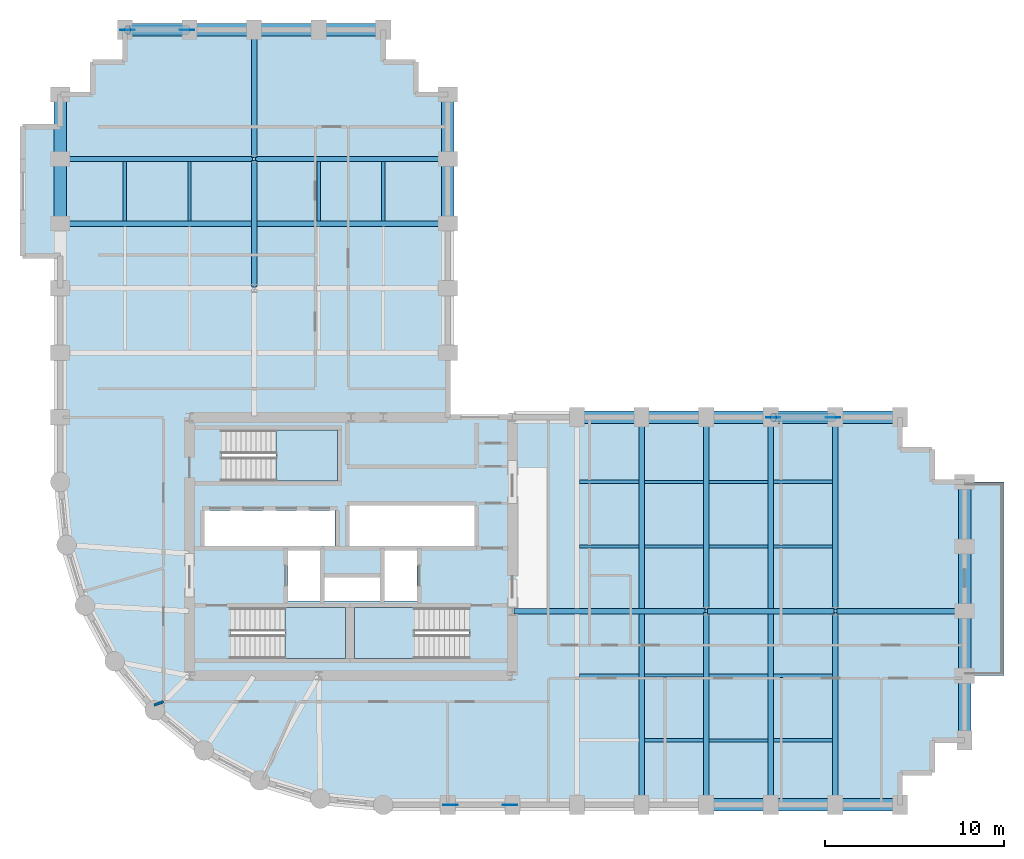
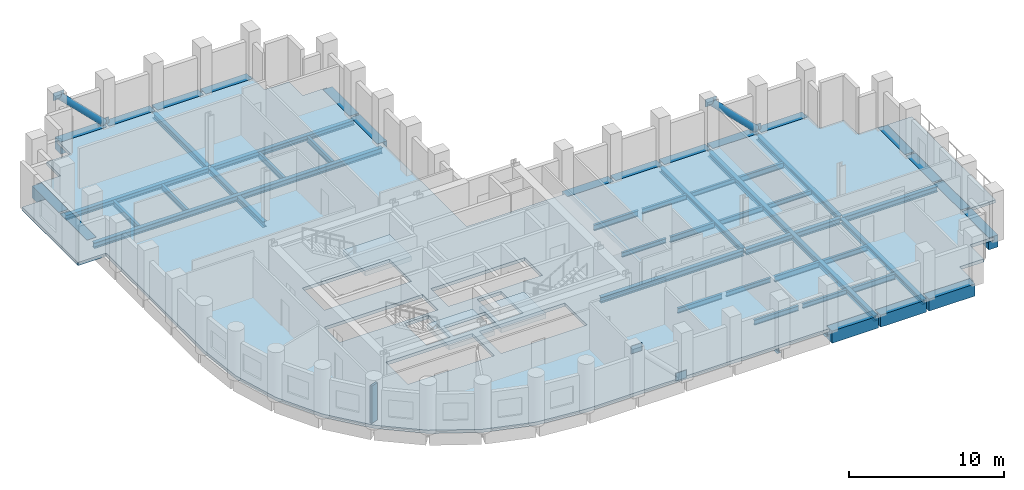
# One storey, part 2 of 8: 53 beams, 6 plates, 5 slabs, 2 members, 1 wall, 3 elements without a shape of their own.
"""IFC4 building model written with IfcOpenShell, lengths in metres."""

from ifc_helpers import new_model, si_unit, direction, frame, frame_2d, origin, origin_2d, place, context, subcontext, project, spatial, polyline, rectangle, hollow_circle, i_section, outline, extrude, material, layer, layer_set, material_profile, profile_set, type_object, element, aggregate, save


model = new_model("IFC4")

# Units and contexts
model_context = context("Model", 3, precision=1e-05, world=origin(), true_north=direction((0.0, 1.0)))
body_context = subcontext(model_context, "Body", "Model", "MODEL_VIEW")
ifc_project = project(units=[si_unit("LENGTHUNIT", "METRE"), si_unit("AREAUNIT", "SQUARE_METRE"), si_unit("VOLUMEUNIT", "CUBIC_METRE"), si_unit("PLANEANGLEUNIT", "RADIAN"), si_unit("MASSUNIT", "GRAM", prefix="KILO")], contexts=[model_context])

# Site, building, storey
site_placement = place(None, origin())
site = spatial("IfcSite", under=ifc_project, at=site_placement, CompositionType="ELEMENT")
building_placement = place(site_placement, origin())
building = spatial("IfcBuilding", under=site, at=building_placement, Name="Solnavia Interchange Tower", CompositionType="ELEMENT")
storey_placement = place(building_placement, frame((0.0, 0.0, 84.0)))
storey = spatial("IfcBuildingStorey", under=building, at=storey_placement, Name="L20", CompositionType="ELEMENT", Elevation=84.0)

# Beams
ifc_material_1 = material(Name="Steel S460", Category="steel")
ifc_material_profile_1 = material_profile(ifc_material_1, i_section(OverallWidth=0.300048828125, OverallDepth=0.449951171875, WebThickness=0.013916015625, FlangeThickness=0.02587890625, FilletRadius=0.027099609375, at=origin_2d()), Name="HEB 450")
ifc_profile_set_1 = profile_set([ifc_material_profile_1], Name="Steel S460")
beam_type_1 = type_object("IfcBeamType", Name="Beam-Girder-HEB450", PredefinedType="BEAM", material=ifc_profile_set_1)
beam_1_placement = place(storey_placement, frame((32.47998046875, 14.39990234375, -0.47509765625), z_axis=(1.0, 0.0, 0.0), x_axis=(0.0, 1.0, 0.0)))
element("IfcBeam", 1, at=beam_1_placement, inside=storey, type_object=beam_type_1, Name="GRD-L20-ES01 East wing spine girder", PredefinedType="BEAM", context=body_context, shape_type="SweptSolid", body=[
    extrude(i_section(OverallWidth=0.300048828125, OverallDepth=0.449951171875, WebThickness=0.013916015625, FlangeThickness=0.02587890625, FilletRadius=0.027099609375, at=origin_2d()), origin(), (0.0, 0.0, 1.0), 10.64013671875),
])
for number, where, z_axis, x_axis, name in (
    (2, (43.280029296875, 14.39990234375, -0.47509765625), (1.0, 0.0, 0.0), (0.0, 1.0, 0.0), "GRD-L20-ES02 East wing spine girder"),
    (3, (50.47998046875, 14.39990234375, -0.47509765625), (1.0, 0.0, 0.0), (0.0, 1.0, 0.0), "GRD-L20-ES03 East wing spine girder"),
    (4, (18.0, 32.47998046875, -0.47509765625), (0.0, 1.0, 0.0), (-1.0, 0.0, 0.0), "GRD-L20-NS12 North wing spine girder"),
    (5, (18.0, 39.679931640625, -0.47509765625), (0.0, 1.0, 0.0), (-1.0, 0.0, 0.0), "GRD-L20-NS13 North wing spine girder"),
):
    element("IfcBeam", number, at=place(storey_placement, frame(where, z_axis=z_axis, x_axis=x_axis)), inside=storey, type_object=beam_type_1, Name=name, PredefinedType="BEAM", context=body_context, shape_type="SweptSolid", body=[
        extrude(i_section(OverallWidth=0.300048828125, OverallDepth=0.449951171875, WebThickness=0.013916015625, FlangeThickness=0.02587890625, FilletRadius=0.027099609375, at=origin_2d()), origin(), (0.0, 0.0, 1.0), 7.0400390625),
    ])
ifc_material_2 = material(Name="Steel S355", Category="steel")
ifc_material_profile_2 = material_profile(ifc_material_2, i_section(OverallWidth=0.169921875, OverallDepth=0.360107421875, WebThickness=0.008056640625, FlangeThickness=0.0126953125, FilletRadius=0.01806640625, at=origin_2d()), Name="IPE 360")
ifc_profile_set_2 = profile_set([ifc_material_profile_2], Name="Steel S355")
beam_type_2 = type_object("IfcBeamType", Name="Beam-Joist-IPE360", PredefinedType="JOIST", material=ifc_profile_set_2)
beam_2_placement = place(storey_placement, frame((43.35009765625, 7.199951171875, -0.429931640625), z_axis=(1.0, 0.0, 0.0), x_axis=(0.0, 1.0, 0.0)))
element("IfcBeam", 6, at=beam_2_placement, inside=storey, type_object=beam_type_2, Name="JST-L20-E03 East wing secondary joist", PredefinedType="JOIST", context=body_context, shape_type="SweptSolid", body=[
    extrude(i_section(OverallWidth=0.169921875, OverallDepth=0.360107421875, WebThickness=0.008056640625, FlangeThickness=0.0126953125, FilletRadius=0.01806640625, at=origin_2d()), origin(), (0.0, 0.0, 1.0), 3.2998046875),
])
for number, where, z_axis, x_axis, name in (
    (7, (39.75, 10.800048828125, -0.429931640625), (1.0, 0.0, 0.0), (0.0, 1.0, 0.0), "JST-L20-E06 East wing secondary joist"),
    (8, (36.14990234375, 18.0, -0.429931640625), (1.0, 0.0, 0.0), (0.0, 1.0, 0.0), "JST-L20-E09 East wing secondary joist"),
    (9, (46.949951171875, 18.0, -0.429931640625), (1.0, 0.0, 0.0), (0.0, 1.0, 0.0), "JST-L20-E12 East wing secondary joist"),
):
    element("IfcBeam", number, at=place(storey_placement, frame(where, z_axis=z_axis, x_axis=x_axis)), inside=storey, type_object=beam_type_2, Name=name, PredefinedType="JOIST", context=body_context, shape_type="SweptSolid", body=[
        extrude(i_section(OverallWidth=0.169921875, OverallDepth=0.360107421875, WebThickness=0.008056640625, FlangeThickness=0.0126953125, FilletRadius=0.01806640625, at=origin_2d()), origin(), (0.0, 0.0, 1.0), 3.300048828125),
    ])
beam_3_placement = place(storey_placement, frame((43.35009765625, 21.60009765625, -0.429931640625), z_axis=(1.0, 0.0, 0.0), x_axis=(0.0, 1.0, 0.0)))
element("IfcBeam", 10, at=beam_3_placement, inside=storey, type_object=beam_type_2, Name="JST-L20-E15 East wing secondary joist", PredefinedType="JOIST", context=body_context, shape_type="SweptSolid", body=[
    extrude(i_section(OverallWidth=0.169921875, OverallDepth=0.360107421875, WebThickness=0.008056640625, FlangeThickness=0.0126953125, FilletRadius=0.01806640625, at=origin_2d()), origin(), (0.0, 0.0, 1.0), 3.2998046875),
])
ifc_material_profile_3 = material_profile(ifc_material_2, i_section(OverallWidth=0.179931640625, OverallDepth=0.39990234375, WebThickness=0.008544921875, FlangeThickness=0.013427734375, FilletRadius=0.02099609375, at=origin_2d()), Name="IPE 400")
ifc_profile_set_3 = profile_set([ifc_material_profile_3], Name="Steel S355")
beam_type_3 = type_object("IfcBeamType", Name="Beam-Joist-IPE400", PredefinedType="JOIST", material=ifc_profile_set_3)
for number, where, z_axis, x_axis, name in (
    (11, (39.75, 7.199951171875, -0.449951171875), (1.0, 0.0, 0.0), (0.0, 1.0, 0.0), "JST-L20-E02 East wing secondary joist"),
    (12, (36.14990234375, 10.800048828125, -0.449951171875), (1.0, 0.0, 0.0), (0.0, 1.0, 0.0), "JST-L20-E05 East wing secondary joist"),
    (13, (46.949951171875, 10.800048828125, -0.449951171875), (1.0, 0.0, 0.0), (0.0, 1.0, 0.0), "JST-L20-E08 East wing secondary joist"),
):
    element("IfcBeam", number, at=place(storey_placement, frame(where, z_axis=z_axis, x_axis=x_axis)), inside=storey, type_object=beam_type_3, Name=name, PredefinedType="JOIST", context=body_context, shape_type="SweptSolid", body=[
        extrude(i_section(OverallWidth=0.179931640625, OverallDepth=0.39990234375, WebThickness=0.008544921875, FlangeThickness=0.013427734375, FilletRadius=0.02099609375, at=origin_2d()), origin(), (0.0, 0.0, 1.0), 3.300048828125),
    ])
beam_4_placement = place(storey_placement, frame((43.35009765625, 18.0, -0.449951171875), z_axis=(1.0, 0.0, 0.0), x_axis=(0.0, 1.0, 0.0)))
element("IfcBeam", 14, at=beam_4_placement, inside=storey, type_object=beam_type_3, Name="JST-L20-E11 East wing secondary joist", PredefinedType="JOIST", context=body_context, shape_type="SweptSolid", body=[
    extrude(i_section(OverallWidth=0.179931640625, OverallDepth=0.39990234375, WebThickness=0.008544921875, FlangeThickness=0.013427734375, FilletRadius=0.02099609375, at=origin_2d()), origin(), (0.0, 0.0, 1.0), 3.2998046875),
])
beam_5_placement = place(storey_placement, frame((39.75, 21.60009765625, -0.449951171875), z_axis=(1.0, 0.0, 0.0), x_axis=(0.0, 1.0, 0.0)))
element("IfcBeam", 15, at=beam_5_placement, inside=storey, type_object=beam_type_3, Name="JST-L20-E14 East wing secondary joist", PredefinedType="JOIST", context=body_context, shape_type="SweptSolid", body=[
    extrude(i_section(OverallWidth=0.179931640625, OverallDepth=0.39990234375, WebThickness=0.008544921875, FlangeThickness=0.013427734375, FilletRadius=0.02099609375, at=origin_2d()), origin(), (0.0, 0.0, 1.0), 3.300048828125),
])
ifc_material_profile_4 = material_profile(ifc_material_2, i_section(OverallWidth=0.18994140625, OverallDepth=0.449951171875, WebThickness=0.009521484375, FlangeThickness=0.0146484375, FilletRadius=0.02099609375, at=origin_2d()), Name="IPE 450")
ifc_profile_set_4 = profile_set([ifc_material_profile_4], Name="Steel S355")
beam_type_4 = type_object("IfcBeamType", Name="Beam-Joist-IPE450", PredefinedType="JOIST", material=ifc_profile_set_4)
beam_6_placement = place(storey_placement, frame((46.949951171875, 7.199951171875, -0.47509765625), z_axis=(1.0, 0.0, 0.0), x_axis=(0.0, 1.0, 0.0)))
element("IfcBeam", 16, at=beam_6_placement, inside=storey, type_object=beam_type_4, Name="JST-L20-E04 East wing secondary joist", PredefinedType="JOIST", context=body_context, shape_type="SweptSolid", body=[
    extrude(i_section(OverallWidth=0.18994140625, OverallDepth=0.449951171875, WebThickness=0.009521484375, FlangeThickness=0.0146484375, FilletRadius=0.02099609375, at=origin_2d()), origin(), (0.0, 0.0, 1.0), 3.300048828125),
])
beam_7_placement = place(storey_placement, frame((43.35009765625, 10.800048828125, -0.47509765625), z_axis=(1.0, 0.0, 0.0), x_axis=(0.0, 1.0, 0.0)))
element("IfcBeam", 17, at=beam_7_placement, inside=storey, type_object=beam_type_4, Name="JST-L20-E07 East wing secondary joist", PredefinedType="JOIST", context=body_context, shape_type="SweptSolid", body=[
    extrude(i_section(OverallWidth=0.18994140625, OverallDepth=0.449951171875, WebThickness=0.009521484375, FlangeThickness=0.0146484375, FilletRadius=0.02099609375, at=origin_2d()), origin(), (0.0, 0.0, 1.0), 3.2998046875),
])
for number, where, z_axis, x_axis, name in (
    (18, (39.75, 18.0, -0.47509765625), (1.0, 0.0, 0.0), (0.0, 1.0, 0.0), "JST-L20-E10 East wing secondary joist"),
    (19, (36.14990234375, 21.60009765625, -0.47509765625), (1.0, 0.0, 0.0), (0.0, 1.0, 0.0), "JST-L20-E13 East wing secondary joist"),
    (20, (46.949951171875, 21.60009765625, -0.47509765625), (1.0, 0.0, 0.0), (0.0, 1.0, 0.0), "JST-L20-E16 East wing secondary joist"),
    (21, (10.800048828125, 36.14990234375, -0.47509765625), (0.0, 1.0, 0.0), (-1.0, 0.0, 0.0), "JST-L20-N19 North wing secondary joist"),
    (22, (14.39990234375, 36.14990234375, -0.47509765625), (0.0, 1.0, 0.0), (-1.0, 0.0, 0.0), "JST-L20-N22 North wing secondary joist"),
    (23, (21.60009765625, 36.14990234375, -0.47509765625), (0.0, 1.0, 0.0), (-1.0, 0.0, 0.0), "JST-L20-N25 North wing secondary joist"),
    (24, (25.199951171875, 36.14990234375, -0.47509765625), (0.0, 1.0, 0.0), (-1.0, 0.0, 0.0), "JST-L20-N28 North wing secondary joist"),
):
    element("IfcBeam", number, at=place(storey_placement, frame(where, z_axis=z_axis, x_axis=x_axis)), inside=storey, type_object=beam_type_4, Name=name, PredefinedType="JOIST", context=body_context, shape_type="SweptSolid", body=[
        extrude(i_section(OverallWidth=0.18994140625, OverallDepth=0.449951171875, WebThickness=0.009521484375, FlangeThickness=0.0146484375, FilletRadius=0.02099609375, at=origin_2d()), origin(), (0.0, 0.0, 1.0), 3.300048828125),
    ])
ifc_material_profile_5 = material_profile(ifc_material_2, i_section(OverallWidth=0.300048828125, OverallDepth=0.389892578125, WebThickness=0.010986328125, FlangeThickness=0.01904296875, FilletRadius=0.027099609375, at=origin_2d()), Name="HEA 400")
ifc_profile_set_5 = profile_set([ifc_material_profile_5], Name="Steel S355")
beam_type_5 = type_object("IfcBeamType", Name="Beam-Primary-HEA400", PredefinedType="BEAM", material=ifc_profile_set_5)
for number, where, z_axis, x_axis, name in (
    (25, (43.199951171875, 3.679931640625, -0.445068359375), (0.0, 1.0, 0.0), (-1.0, 0.0, 0.0), "GRD-L20-EW06 East wing primary floor girder"),
    (26, (43.199951171875, 14.47998046875, -0.445068359375), (0.0, 1.0, 0.0), (-1.0, 0.0, 0.0), "GRD-L20-EW07 East wing primary floor girder"),
    (27, (50.39990234375, 3.679931640625, -0.445068359375), (0.0, 1.0, 0.0), (-1.0, 0.0, 0.0), "GRD-L20-EW09 East wing primary floor girder"),
    (28, (50.39990234375, 14.47998046875, -0.445068359375), (0.0, 1.0, 0.0), (-1.0, 0.0, 0.0), "GRD-L20-EW10 East wing primary floor girder"),
):
    element("IfcBeam", number, at=place(storey_placement, frame(where, z_axis=z_axis, x_axis=x_axis)), inside=storey, type_object=beam_type_5, Name=name, PredefinedType="BEAM", context=body_context, shape_type="SweptSolid", body=[
        extrude(i_section(OverallWidth=0.300048828125, OverallDepth=0.389892578125, WebThickness=0.010986328125, FlangeThickness=0.01904296875, FilletRadius=0.027099609375, at=origin_2d()), origin(), (0.0, 0.0, 1.0), 10.64013671875),
    ])
for number, where, z_axis, x_axis, name in (
    (29, (7.280029296875, 39.60009765625, -0.445068359375), (1.0, 0.0, 0.0), (0.0, 1.0, 0.0), "GRD-L20-NW18 North wing primary floor girder"),
    (30, (18.080078125, 39.60009765625, -0.445068359375), (1.0, 0.0, 0.0), (0.0, 1.0, 0.0), "GRD-L20-NW19 North wing primary floor girder"),
):
    element("IfcBeam", number, at=place(storey_placement, frame(where, z_axis=z_axis, x_axis=x_axis)), inside=storey, type_object=beam_type_5, Name=name, PredefinedType="BEAM", context=body_context, shape_type="SweptSolid", body=[
        extrude(i_section(OverallWidth=0.300048828125, OverallDepth=0.389892578125, WebThickness=0.010986328125, FlangeThickness=0.01904296875, FilletRadius=0.027099609375, at=origin_2d()), origin(), (0.0, 0.0, 1.0), 10.639892578125),
    ])
ifc_material_profile_6 = material_profile(ifc_material_2, i_section(OverallWidth=0.300048828125, OverallDepth=0.43994140625, WebThickness=0.011474609375, FlangeThickness=0.02099609375, FilletRadius=0.027099609375, at=origin_2d()), Name="HEA 450")
ifc_profile_set_6 = profile_set([ifc_material_profile_6], Name="Steel S355")
beam_type_6 = type_object("IfcBeamType", Name="Beam-Primary-HEA450", PredefinedType="BEAM", material=ifc_profile_set_6)
for number, where, z_axis, x_axis, name in (
    (31, (39.60009765625, 3.679931640625, -0.469970703125), (0.0, 1.0, 0.0), (-1.0, 0.0, 0.0), "GRD-L20-EW05 East wing primary floor girder"),
    (32, (46.800048828125, 3.679931640625, -0.469970703125), (0.0, 1.0, 0.0), (-1.0, 0.0, 0.0), "GRD-L20-EW08 East wing primary floor girder"),
):
    element("IfcBeam", number, at=place(storey_placement, frame(where, z_axis=z_axis, x_axis=x_axis)), inside=storey, type_object=beam_type_6, Name=name, PredefinedType="BEAM", context=body_context, shape_type="SweptSolid", body=[
        extrude(i_section(OverallWidth=0.300048828125, OverallDepth=0.43994140625, WebThickness=0.011474609375, FlangeThickness=0.02099609375, FilletRadius=0.027099609375, at=origin_2d()), origin(), (0.0, 0.0, 1.0), 21.440185546875),
    ])
beam_8_placement = place(storey_placement, frame((7.280029296875, 36.0, -0.469970703125), z_axis=(1.0, 0.0, 0.0), x_axis=(0.0, 1.0, 0.0)))
element("IfcBeam", 33, at=beam_8_placement, inside=storey, type_object=beam_type_6, Name="GRD-L20-NW17 North wing primary floor girder", PredefinedType="BEAM", context=body_context, shape_type="SweptSolid", body=[
    extrude(i_section(OverallWidth=0.300048828125, OverallDepth=0.43994140625, WebThickness=0.011474609375, FlangeThickness=0.02099609375, FilletRadius=0.027099609375, at=origin_2d()), origin(), (0.0, 0.0, 1.0), 21.43994140625),
])
ifc_material_3 = material(Name="Concrete C50/60", Category="concrete")
ifc_material_profile_7 = material_profile(ifc_material_3, rectangle(XDim=0.699951171875, YDim=0.949951171875, at=origin_2d()), Name="RC 700x950")
ifc_profile_set_7 = profile_set([ifc_material_profile_7], Name="Concrete C50/60")
beam_type_7 = type_object("IfcBeamType", Name="Beam-Spandrel-RC700x950", PredefinedType="SPANDREL", material=ifc_profile_set_7)
beam_9_placement = place(storey_placement, frame((43.280029296875, 3.60009765625, -0.47509765625), z_axis=(1.0, 0.0, 0.0), x_axis=(0.0, 1.0, 0.0)))
element("IfcBeam", 34, at=beam_9_placement, inside=storey, type_object=beam_type_7, Name="SPB-L20-14 Framed-tube perimeter spandrel beam", PredefinedType="SPANDREL", context=body_context, shape_type="SweptSolid", body=[
    extrude(rectangle(XDim=0.699951171875, YDim=0.949951171875, at=origin_2d()), origin(), (0.0, 0.0, 1.0), 3.43994140625),
])
beam_10_placement = place(storey_placement, frame((46.8798828125, 3.60009765625, -0.47509765625), z_axis=(1.0, 0.0, 0.0), x_axis=(0.0, 1.0, 0.0)))
element("IfcBeam", 35, at=beam_10_placement, inside=storey, type_object=beam_type_7, Name="SPB-L20-15 Framed-tube perimeter spandrel beam", PredefinedType="SPANDREL", context=body_context, shape_type="SweptSolid", body=[
    extrude(rectangle(XDim=0.699951171875, YDim=0.949951171875, at=origin_2d()), origin(), (0.0, 0.0, 1.0), 3.440185546875),
])
for number, where, z_axis, x_axis, name in (
    (36, (50.47998046875, 3.60009765625, -0.47509765625), (1.0, 0.0, 0.0), (0.0, 1.0, 0.0), "SPB-L20-16 Framed-tube perimeter spandrel beam"),
    (37, (57.60009765625, 7.280029296875, -0.47509765625), (0.0, 1.0, 0.0), (-1.0, 0.0, 0.0), "SPB-L20-17 Framed-tube perimeter spandrel beam"),
):
    element("IfcBeam", number, at=place(storey_placement, frame(where, z_axis=z_axis, x_axis=x_axis)), inside=storey, type_object=beam_type_7, Name=name, PredefinedType="SPANDREL", context=body_context, shape_type="SweptSolid", body=[
        extrude(rectangle(XDim=0.699951171875, YDim=0.949951171875, at=origin_2d()), origin(), (0.0, 0.0, 1.0), 3.43994140625),
    ])
beam_11_placement = place(storey_placement, frame((57.60009765625, 10.8798828125, -0.47509765625), z_axis=(0.0, 1.0, 0.0), x_axis=(-1.0, 0.0, 0.0)))
element("IfcBeam", 38, at=beam_11_placement, inside=storey, type_object=beam_type_7, Name="SPB-L20-18 Framed-tube perimeter spandrel beam", PredefinedType="SPANDREL", context=body_context, shape_type="SweptSolid", body=[
    extrude(rectangle(XDim=0.699951171875, YDim=0.949951171875, at=origin_2d()), origin(), (0.0, 0.0, 1.0), 3.440185546875),
])
for number, where, z_axis, x_axis, name in (
    (39, (57.60009765625, 14.47998046875, -0.47509765625), (0.0, 1.0, 0.0), (-1.0, 0.0, 0.0), "SPB-L20-19 Framed-tube perimeter spandrel beam"),
    (40, (57.60009765625, 18.080078125, -0.47509765625), (0.0, 1.0, 0.0), (-1.0, 0.0, 0.0), "SPB-L20-20 Framed-tube perimeter spandrel beam"),
    (41, (53.919921875, 25.199951171875, -0.47509765625), (-1.0, 0.0, 0.0), (0.0, -1.0, 0.0), "SPB-L20-21 Framed-tube perimeter spandrel beam"),
):
    element("IfcBeam", number, at=place(storey_placement, frame(where, z_axis=z_axis, x_axis=x_axis)), inside=storey, type_object=beam_type_7, Name=name, PredefinedType="SPANDREL", context=body_context, shape_type="SweptSolid", body=[
        extrude(rectangle(XDim=0.699951171875, YDim=0.949951171875, at=origin_2d()), origin(), (0.0, 0.0, 1.0), 3.43994140625),
    ])
beam_12_placement = place(storey_placement, frame((50.320068359375, 25.199951171875, -0.47509765625), z_axis=(-1.0, 0.0, 0.0), x_axis=(0.0, -1.0, 0.0)))
element("IfcBeam", 42, at=beam_12_placement, inside=storey, type_object=beam_type_7, Name="SPB-L20-22 Framed-tube perimeter spandrel beam", PredefinedType="SPANDREL", context=body_context, shape_type="SweptSolid", body=[
    extrude(rectangle(XDim=0.699951171875, YDim=0.949951171875, at=origin_2d()), origin(), (0.0, 0.0, 1.0), 3.440185546875),
])
beam_13_placement = place(storey_placement, frame((46.719970703125, 25.199951171875, -0.47509765625), z_axis=(-1.0, 0.0, 0.0), x_axis=(0.0, -1.0, 0.0)))
element("IfcBeam", 43, at=beam_13_placement, inside=storey, type_object=beam_type_7, Name="SPB-L20-23 Framed-tube perimeter spandrel beam", PredefinedType="SPANDREL", context=body_context, shape_type="SweptSolid", body=[
    extrude(rectangle(XDim=0.699951171875, YDim=0.949951171875, at=origin_2d()), origin(), (0.0, 0.0, 1.0), 3.43994140625),
])
beam_14_placement = place(storey_placement, frame((43.1201171875, 25.199951171875, -0.47509765625), z_axis=(-1.0, 0.0, 0.0), x_axis=(0.0, -1.0, 0.0)))
element("IfcBeam", 44, at=beam_14_placement, inside=storey, type_object=beam_type_7, Name="SPB-L20-24 Framed-tube perimeter spandrel beam", PredefinedType="SPANDREL", context=body_context, shape_type="SweptSolid", body=[
    extrude(rectangle(XDim=0.699951171875, YDim=0.949951171875, at=origin_2d()), origin(), (0.0, 0.0, 1.0), 3.440185546875),
])
for number, where, z_axis, x_axis, name in (
    (45, (39.52001953125, 25.199951171875, -0.47509765625), (-1.0, 0.0, 0.0), (0.0, -1.0, 0.0), "SPB-L20-25 Framed-tube perimeter spandrel beam"),
    (46, (28.800048828125, 36.080078125, -0.47509765625), (0.0, 1.0, 0.0), (-1.0, 0.0, 0.0), "SPB-L20-29 Framed-tube perimeter spandrel beam"),
):
    element("IfcBeam", number, at=place(storey_placement, frame(where, z_axis=z_axis, x_axis=x_axis)), inside=storey, type_object=beam_type_7, Name=name, PredefinedType="SPANDREL", context=body_context, shape_type="SweptSolid", body=[
        extrude(rectangle(XDim=0.699951171875, YDim=0.949951171875, at=origin_2d()), origin(), (0.0, 0.0, 1.0), 3.43994140625),
    ])
for number, where, z_axis, x_axis, name in (
    (47, (28.800048828125, 39.679931640625, -0.47509765625), (0.0, 1.0, 0.0), (-1.0, 0.0, 0.0), "SPB-L20-30 Framed-tube perimeter spandrel beam"),
    (48, (25.1201171875, 46.800048828125, -0.47509765625), (-1.0, 0.0, 0.0), (0.0, -1.0, 0.0), "SPB-L20-31 Framed-tube perimeter spandrel beam"),
):
    element("IfcBeam", number, at=place(storey_placement, frame(where, z_axis=z_axis, x_axis=x_axis)), inside=storey, type_object=beam_type_7, Name=name, PredefinedType="SPANDREL", context=body_context, shape_type="SweptSolid", body=[
        extrude(rectangle(XDim=0.699951171875, YDim=0.949951171875, at=origin_2d()), origin(), (0.0, 0.0, 1.0), 3.440185546875),
    ])
for number, where, z_axis, x_axis, name in (
    (49, (21.52001953125, 46.800048828125, -0.47509765625), (-1.0, 0.0, 0.0), (0.0, -1.0, 0.0), "SPB-L20-32 Framed-tube perimeter spandrel beam"),
    (50, (17.919921875, 46.800048828125, -0.47509765625), (-1.0, 0.0, 0.0), (0.0, -1.0, 0.0), "SPB-L20-33 Framed-tube perimeter spandrel beam"),
):
    element("IfcBeam", number, at=place(storey_placement, frame(where, z_axis=z_axis, x_axis=x_axis)), inside=storey, type_object=beam_type_7, Name=name, PredefinedType="SPANDREL", context=body_context, shape_type="SweptSolid", body=[
        extrude(rectangle(XDim=0.699951171875, YDim=0.949951171875, at=origin_2d()), origin(), (0.0, 0.0, 1.0), 3.43994140625),
    ])
for number, where, z_axis, x_axis, name in (
    (51, (14.320068359375, 46.800048828125, -0.47509765625), (-1.0, 0.0, 0.0), (0.0, -1.0, 0.0), "SPB-L20-34 Framed-tube perimeter spandrel beam"),
    (52, (7.199951171875, 43.1201171875, -0.47509765625), (0.0, -1.0, 0.0), (1.0, 0.0, 0.0), "SPB-L20-35 Framed-tube perimeter spandrel beam"),
):
    element("IfcBeam", number, at=place(storey_placement, frame(where, z_axis=z_axis, x_axis=x_axis)), inside=storey, type_object=beam_type_7, Name=name, PredefinedType="SPANDREL", context=body_context, shape_type="SweptSolid", body=[
        extrude(rectangle(XDim=0.699951171875, YDim=0.949951171875, at=origin_2d()), origin(), (0.0, 0.0, 1.0), 3.440185546875),
    ])
beam_15_placement = place(storey_placement, frame((7.199951171875, 39.52001953125, -0.47509765625), z_axis=(0.0, -1.0, 0.0), x_axis=(1.0, 0.0, 0.0)))
element("IfcBeam", 53, at=beam_15_placement, inside=storey, type_object=beam_type_7, Name="SPB-L20-36 Framed-tube perimeter spandrel beam", PredefinedType="SPANDREL", context=body_context, shape_type="SweptSolid", body=[
    extrude(rectangle(XDim=0.699951171875, YDim=0.949951171875, at=origin_2d()), origin(), (0.0, 0.0, 1.0), 3.43994140625),
])

# Members
ifc_material_profile_8 = material_profile(ifc_material_1, hollow_circle(Radius=0.25390625, WallThickness=0.02490234375, at=origin_2d()), Name="CHS 508x25")
ifc_profile_set_8 = profile_set([ifc_material_profile_8], Name="Steel S460")
member_type = type_object("IfcMemberType", Name="Brace-Perim-CHS508", PredefinedType="BRACE", material=ifc_profile_set_8)
for number, where, z_axis, x_axis, name in (
    (54, (14.260009765625, 46.800048828125, 0.179931640625), (-0.710311792477, 0.0, 0.703887176661), (0.0, -1.0, 0.0), "BRC-L20-02 Perimeter tube diagonal brace"),
    (55, (50.260009765625, 25.199951171875, 0.179931640625), (-0.710311792477, 0.0, 0.703887176661), (0.0, -1.0, 0.0), "BRC-L20-03 Perimeter tube diagonal brace"),
):
    element("IfcMember", number, at=place(storey_placement, frame(where, z_axis=z_axis, x_axis=x_axis)), inside=storey, type_object=member_type, Name=name, PredefinedType="BRACE", context=body_context, shape_type="SweptSolid", body=[
        extrude(hollow_circle(Radius=0.25390625, WallThickness=0.02490234375, at=origin_2d()), origin(), (0.0, 0.0, 1.0), 4.674072265625),
    ])

# Plates
ifc_layer_1 = layer(ifc_material_1, 0.035888671875)
ifc_layer_set_1 = layer_set([ifc_layer_1], Name="Steel S460")
plate_type = type_object("IfcPlateType", Name="Plate-Gusset-800x600x36", PredefinedType="USERDEFINED", material=ifc_layer_set_1)
for number, where, z_axis, x_axis, name in (
    (56, (32.260009765625, 3.60009765625, -0.1201171875), (0.0, 0.0, 1.0), (-1.0, 0.0, 0.0), "PLT-L20-GP01 Perimeter brace gusset plate"),
    (57, (28.93994140625, 3.60009765625, 3.169921875), (0.0, 0.0, 1.0), (-1.0, 0.0, 0.0), "PLT-L20-GP02 Perimeter brace gusset plate"),
    (58, (14.260009765625, 46.800048828125, -0.1201171875), (0.0, 0.0, 1.0), (-1.0, 0.0, 0.0), "PLT-L20-GP03 Perimeter brace gusset plate"),
    (59, (10.93994140625, 46.800048828125, 3.169921875), (0.0, 0.0, 1.0), (-1.0, 0.0, 0.0), "PLT-L20-GP04 Perimeter brace gusset plate"),
    (60, (50.260009765625, 25.199951171875, -0.1201171875), (0.0, 0.0, 1.0), (-1.0, 0.0, 0.0), "PLT-L20-GP05 Perimeter brace gusset plate"),
    (61, (46.93994140625, 25.199951171875, 3.169921875), (0.0, 0.0, 1.0), (-1.0, 0.0, 0.0), "PLT-L20-GP06 Perimeter brace gusset plate"),
):
    element("IfcPlate", number, at=place(storey_placement, frame(where, z_axis=z_axis, x_axis=x_axis)), inside=storey, type_object=plate_type, Name=name, ObjectType="GUSSET PLATE", PredefinedType="USERDEFINED", context=body_context, shape_type="SweptSolid", body=[
        extrude(rectangle(XDim=0.800048828125, YDim=0.035888671875, at=origin_2d()), origin(), (0.0, 0.0, 1.0), 0.60009765625),
    ])

# Stair, slab
ifc_material_4 = material(Name="Concrete C40/50", Category="concrete")
stair_type = type_object("IfcStairType", Name="Stair-Dogleg-RC", PredefinedType="HALF_TURN_STAIR", material=ifc_material_4)
stair_1_placement = place(storey_placement, origin())
stair_1 = element("IfcStair", 62, at=stair_1_placement, inside=storey, type_object=stair_type, Name="L20 Core exit stair 1", PredefinedType="HALF_TURN_STAIR")
ifc_layer_2 = layer(ifc_material_4, 0.35009765625)
ifc_layer_set_2 = layer_set([ifc_layer_2], Name="Concrete C40/50")
slab_type_1 = type_object("IfcSlabType", Name="Slab-StairLanding-350", PredefinedType="LANDING", material=ifc_layer_set_2)
slab_1_placement = place(storey_placement, frame((0.0, 0.0, 1.60009765625)))
slab_1 = element("IfcSlab", 63, at=slab_1_placement, type_object=slab_type_1, Name="ST-1 landing 1", PredefinedType="LANDING", context=body_context, shape_type="SweptSolid", body=[
    extrude(outline(polyline([(19.7080078125, 11.75), (23.10009765625, 11.75), (23.10009765625, 14.590087890625), (19.7080078125, 14.590087890625), (19.7080078125, 11.75)])), origin(), (0.0, 0.0, 1.0), 0.349853515625),
])
aggregate(stair_1, [slab_1])

stair_2_placement = place(storey_placement, origin())
stair_2 = element("IfcStair", 64, at=stair_2_placement, inside=storey, type_object=stair_type, Name="L20 Core exit stair 2", PredefinedType="HALF_TURN_STAIR")
slab_2_placement = place(storey_placement, frame((0.0, 0.0, 1.60009765625)))
slab_2 = element("IfcSlab", 65, at=slab_2_placement, type_object=slab_type_1, Name="ST-2 landing 1", PredefinedType="LANDING", context=body_context, shape_type="SweptSolid", body=[
    extrude(outline(polyline([(23.60009765625, 11.75), (26.94189453125, 11.75), (26.94189453125, 14.590087890625), (23.60009765625, 14.590087890625), (23.60009765625, 11.75)])), origin(), (0.0, 0.0, 1.0), 0.349853515625),
])
aggregate(stair_2, [slab_2])

stair_3_placement = place(storey_placement, origin())
stair_3 = element("IfcStair", 66, at=stair_3_placement, inside=storey, type_object=stair_type, Name="L20 Core exit stair 3", PredefinedType="HALF_TURN_STAIR")
slab_3_placement = place(storey_placement, frame((0.0, 0.0, 1.60009765625)))
slab_3 = element("IfcSlab", 67, at=slab_3_placement, type_object=slab_type_1, Name="ST-3 landing 1", PredefinedType="LANDING", context=body_context, shape_type="SweptSolid", body=[
    extrude(outline(polyline([(19.2080078125, 21.64990234375), (22.64990234375, 21.64990234375), (22.64990234375, 24.489990234375), (19.2080078125, 24.489990234375), (19.2080078125, 21.64990234375)])), origin(), (0.0, 0.0, 1.0), 0.349853515625),
])
aggregate(stair_3, [slab_3])

# Slabs
ifc_layer_3 = layer(ifc_material_4, 0.219970703125)
ifc_layer_set_3 = layer_set([ifc_layer_3], Name="Concrete C40/50")
slab_type_2 = type_object("IfcSlabType", Name="Slab-Terrace-220", PredefinedType="FLOOR", material=ifc_layer_set_3)
slab_4_placement = place(storey_placement, frame((0.0, 0.0, -0.260009765625)))
element("IfcSlab", 68, at=slab_4_placement, inside=storey, type_object=slab_type_2, Name="TER-L20-01 Outdoor spiral terrace slab", PredefinedType="FLOOR", context=body_context, shape_type="SweptSolid", body=[
    extrude(outline(polyline([(57.60009765625, 10.800048828125), (59.800048828125, 10.800048828125), (59.800048828125, 21.60009765625), (57.60009765625, 21.60009765625), (57.60009765625, 10.800048828125)])), origin(), (0.0, 0.0, 1.0), 0.219970703125),
])
ifc_layer_4 = layer(ifc_material_4, 0.25)
ifc_layer_set_4 = layer_set([ifc_layer_4], Name="Concrete C40/50")
slab_type_3 = type_object("IfcSlabType", Name="Slab-Tower-250", PredefinedType="FLOOR", material=ifc_layer_set_4)
slab_5_placement = place(storey_placement, frame((0.0, 0.0, -0.25)))
element("IfcSlab", 69, at=slab_5_placement, inside=storey, type_object=slab_type_3, Name="SLB-L20-01 Structural floor slab", PredefinedType="FLOOR", context=body_context, shape_type="SweptSolid", body=[
    extrude(outline(polyline([(25.199951171875, 3.60009765625), (54.0, 3.60009765625), (54.0, 5.39990234375), (55.800048828125, 5.39990234375), (55.800048828125, 7.199951171875), (57.60009765625, 7.199951171875), (57.60009765625, 21.60009765625), (55.800048828125, 21.60009765625), (55.800048828125, 23.39990234375), (54.0, 23.39990234375), (54.0, 25.199951171875), (28.800048828125, 25.199951171875), (28.800048828125, 43.199951171875), (27.0, 43.199951171875), (27.0, 45.0), (25.199951171875, 45.0), (25.199951171875, 46.800048828125), (10.800048828125, 46.800048828125), (10.800048828125, 45.0), (9.0, 45.0), (9.0, 43.199951171875), (7.199951171875, 43.199951171875), (7.199951171875, 41.39990234375), (5.10009765625, 41.39990234375), (5.10009765625, 34.199951171875), (7.199951171875, 34.199951171875), (7.199951171875, 21.60009765625), (7.5458984375, 18.087890625), (8.570068359375, 14.7119140625), (10.23388671875, 11.60009765625), (12.471923828125, 8.8720703125), (15.199951171875, 6.634033203125), (18.31201171875, 4.969970703125), (21.68798828125, 3.946044921875), (25.199951171875, 3.60009765625)]), holes=[polyline([(16.675048828125, 11.75), (23.10009765625, 11.75), (23.10009765625, 14.590087890625), (16.675048828125, 14.590087890625), (16.675048828125, 11.75)]), polyline([(23.60009765625, 11.75), (29.97509765625, 11.75), (29.97509765625, 14.590087890625), (23.60009765625, 14.590087890625), (23.60009765625, 11.75)]), polyline([(16.175048828125, 21.64990234375), (22.64990234375, 21.64990234375), (22.64990234375, 24.489990234375), (16.175048828125, 24.489990234375), (16.175048828125, 21.64990234375)]), polyline([(19.8798828125, 14.9599609375), (21.679931640625, 14.9599609375), (21.679931640625, 17.780029296875), (19.8798828125, 17.780029296875), (19.8798828125, 14.9599609375)]), polyline([(25.280029296875, 14.9599609375), (27.080078125, 14.9599609375), (27.080078125, 17.780029296875), (25.280029296875, 17.780029296875), (25.280029296875, 14.9599609375)]), polyline([(21.919921875, 14.9599609375), (25.02001953125, 14.9599609375), (25.02001953125, 16.280029296875), (21.919921875, 16.280029296875), (21.919921875, 14.9599609375)]), polyline([(15.219970703125, 18.02001953125), (22.52001953125, 18.02001953125), (22.52001953125, 20.0), (15.219970703125, 20.0), (15.219970703125, 18.02001953125)]), polyline([(23.300048828125, 18.02001953125), (30.280029296875, 18.02001953125), (30.280029296875, 20.300048828125), (23.300048828125, 20.300048828125), (23.300048828125, 18.02001953125)])]), origin(), (0.0, 0.0, 1.0), 0.25),
])

# Wall
ifc_material_5 = material(Name="Gypsum Plasterboard & Steel Stud", Category="steel")
ifc_layer_5 = layer(ifc_material_5, 0.14990234375)
ifc_layer_set_5 = layer_set([ifc_layer_5], Name="Gypsum Plasterboard & Steel Stud")
wall_type = type_object("IfcWallType", Name="Wall-Partition-150", PredefinedType="PARTITIONING", material=ifc_layer_set_5)
wall_placement = place(storey_placement, frame((12.949951171875, 9.35009765625, 0.0), z_axis=(0.0, 0.0, 1.0), x_axis=(-0.939538101119, -0.342444384601, 0.0)))
element("IfcWall", 70, at=wall_placement, inside=storey, type_object=wall_type, Name="PTW-L20-10 Interior partition wall", PredefinedType="PARTITIONING", context=body_context, shape_type="SweptSolid", body=[
    extrude(rectangle(XDim=0.558837890625, YDim=0.14990234375, at=frame_2d((0.279296875, 0.0))), origin(), (0.0, 0.0, 1.0), 2.929931640625),
])

save(model, "model.ifc")
